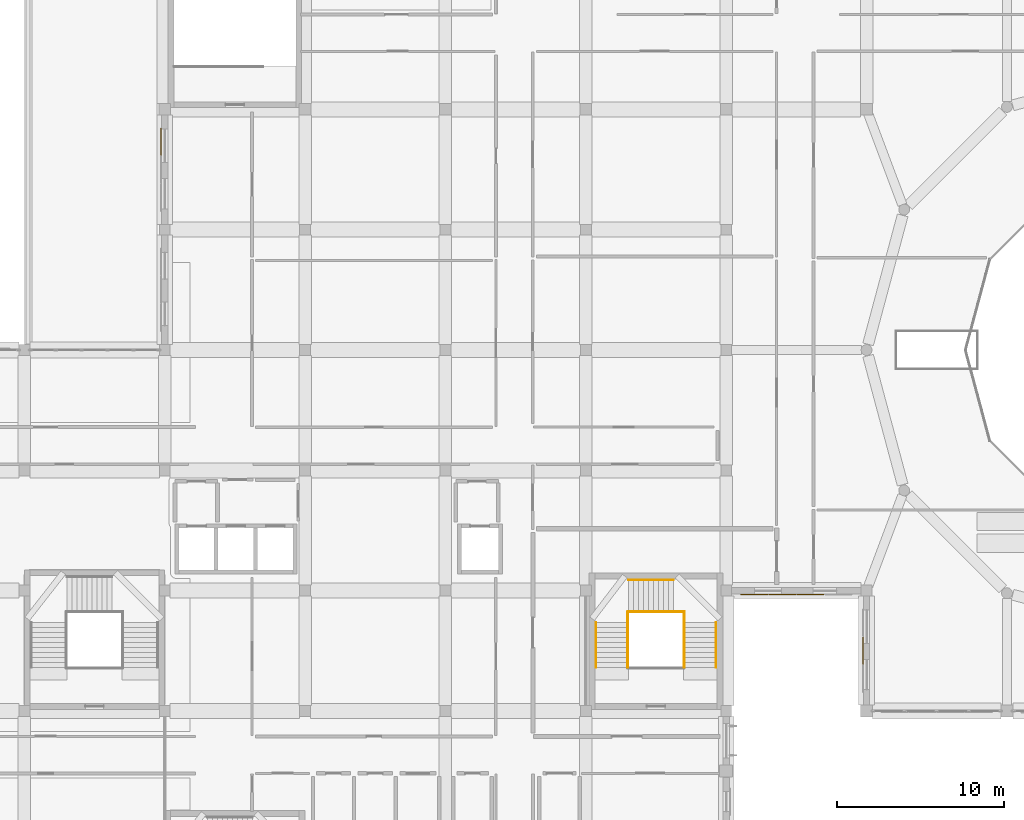
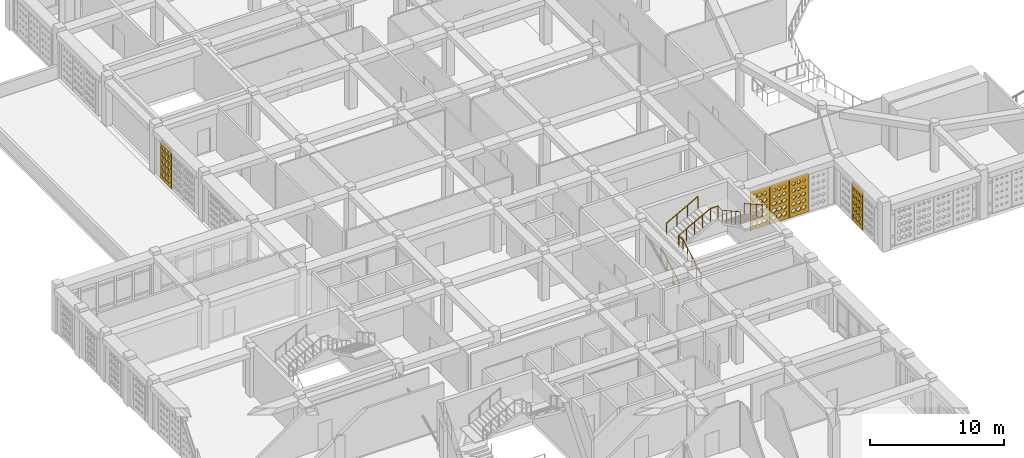
# One storey, part 62 of 79: 6 railings, 5 coverings.
"""IFC4 building model written with IfcOpenShell, lengths in metres."""

from ifc_helpers import new_model, si_unit, derived_unit, direction, frame, origin, origin_2d, place, context, subcontext, project, spatial, polyline, circle, outline, extrude, material, layer, layer_set, type_object, element, save


model = new_model("IFC4")

# Units and contexts
model_context = context("Model", 3, precision=1e-05, world=origin(), true_north=direction((0.0, 1.0)))
body_context = subcontext(model_context, "Body", "Model", "MODEL_VIEW")
ifc_project = project(units=[si_unit("LENGTHUNIT", "METRE"), si_unit("AREAUNIT", "SQUARE_METRE"), si_unit("VOLUMEUNIT", "CUBIC_METRE"), si_unit("PLANEANGLEUNIT", "RADIAN"), si_unit("MASSUNIT", "GRAM", prefix="KILO"), derived_unit("THERMALTRANSMITTANCEUNIT", [(si_unit("POWERUNIT", "WATT"), 1), (si_unit("LENGTHUNIT", "METRE"), -2), (si_unit("THERMODYNAMICTEMPERATUREUNIT", "KELVIN"), -1)])], contexts=[model_context])

# Site, building, storey
site_placement = place(None, origin())
site = spatial("IfcSite", under=ifc_project, at=site_placement, CompositionType="ELEMENT")
building_placement = place(site_placement, origin())
building = spatial("IfcBuilding", under=site, at=building_placement, Name="Veybourne Emporium", CompositionType="ELEMENT")
storey_placement = place(building_placement, frame((0.0, 0.0, 18.89990234375)))
storey = spatial("IfcBuildingStorey", under=building, at=storey_placement, Name="L04", CompositionType="ELEMENT", Elevation=18.89990234375)

# Railings
ifc_material_1 = material(Name="Brushed Stainless Steel", Category="steel")
railing_type_1 = type_object("IfcRailingType", Name="Guard_GR-01", PredefinedType="GUARDRAIL", material=ifc_material_1)
railing_1_placement = place(storey_placement, frame((44.510009765625, 31.39990234375, 0.0)))
element("IfcRailing", 1, at=railing_1_placement, inside=storey, type_object=railing_type_1, Name="L04 ST-05 stair guard 1", PredefinedType="GUARDRAIL", context=body_context, shape_type="SweptSolid", body=[
    extrude(circle(Radius=0.02392578125, at=origin_2d()), frame((0.0, 0.0, 1.1259765625), z_axis=(0.0, 0.874172188743, 0.48561608749), x_axis=(-1.0, 0.0, 0.0)), (0.0, 0.0, 1.0), 3.0888671875),
    extrude(circle(Radius=0.02392578125, at=origin_2d()), frame((0.0, 2.7001953125, 2.6259765625), z_axis=(0.0, 1.0, 0.0), x_axis=(-1.0, 0.0, 0.0)), (0.0, 0.0, 1.0), 0.639892578125),
    extrude(circle(Radius=0.02099609375, at=origin_2d()), origin(), (0.0, 0.0, 1.0), 1.101806640625),
    extrude(circle(Radius=0.02099609375, at=origin_2d()), frame((0.0, 0.675048828125, 0.375)), (0.0, 0.0, 1.0), 1.101806640625),
    extrude(circle(Radius=0.02099609375, at=origin_2d()), frame((0.0, 1.35009765625, 0.75)), (0.0, 0.0, 1.0), 1.101806640625),
    extrude(circle(Radius=0.02099609375, at=origin_2d()), frame((0.0, 2.025146484375, 1.125)), (0.0, 0.0, 1.0), 1.101806640625),
    extrude(circle(Radius=0.02099609375, at=origin_2d()), frame((0.0, 2.7001953125, 1.5)), (0.0, 0.0, 1.0), 1.101806640625),
    extrude(circle(Radius=0.02099609375, at=origin_2d()), frame((0.0, 3.340087890625, 1.5)), (0.0, 0.0, 1.0), 1.101806640625),
])
railing_2_placement = place(storey_placement, frame((44.510009765625, 34.739990234375, 1.5)))
element("IfcRailing", 2, at=railing_2_placement, inside=storey, type_object=railing_type_1, Name="L04 ST-05 stair guard 2", PredefinedType="GUARDRAIL", context=body_context, shape_type="SweptSolid", body=[
    extrude(circle(Radius=0.02392578125, at=origin_2d()), frame((0.0, 0.0, 1.1259765625), z_axis=(0.87715976088, 0.0, 0.480198660861), x_axis=(0.0, 1.0, 0.0)), (0.0, 0.0, 1.0), 3.123779296875),
    extrude(circle(Radius=0.02392578125, at=origin_2d()), frame((2.739990234375, 0.0, 2.6259765625), z_axis=(1.0, 0.0, 0.0), x_axis=(0.0, 1.0, 0.0)), (0.0, 0.0, 1.0), 0.639892578125),
    extrude(circle(Radius=0.02099609375, at=origin_2d()), origin(), (0.0, 0.0, 1.0), 1.101806640625),
    extrude(circle(Radius=0.02099609375, at=origin_2d()), frame((0.68505859375, 0.0, 0.375)), (0.0, 0.0, 1.0), 1.101806640625),
    extrude(circle(Radius=0.02099609375, at=origin_2d()), frame((1.3701171875, 0.0, 0.75)), (0.0, 0.0, 1.0), 1.101806640625),
    extrude(circle(Radius=0.02099609375, at=origin_2d()), frame((2.054931640625, 0.0, 1.125)), (0.0, 0.0, 1.0), 1.101806640625),
    extrude(circle(Radius=0.02099609375, at=origin_2d()), frame((2.739990234375, 0.0, 1.5)), (0.0, 0.0, 1.0), 1.101806640625),
    extrude(circle(Radius=0.02099609375, at=origin_2d()), frame((3.3798828125, 0.0, 1.5)), (0.0, 0.0, 1.0), 1.101806640625),
])
railing_3_placement = place(storey_placement, frame((47.889892578125, 34.739990234375, 3.0)))
element("IfcRailing", 3, at=railing_3_placement, inside=storey, type_object=railing_type_1, Name="L04 ST-05 stair guard 3", PredefinedType="GUARDRAIL", context=body_context, shape_type="SweptSolid", body=[
    extrude(circle(Radius=0.02392578125, at=origin_2d()), frame((0.0, 0.0, 1.1259765625), z_axis=(0.0, -1.0, 0.0), x_axis=(1.0, 0.0, 0.0)), (0.0, 0.0, 1.0), 0.639892578125),
    extrude(circle(Radius=0.02392578125, at=origin_2d()), frame((0.0, -0.639892578125, 1.1259765625), z_axis=(0.0, -0.874172188743, 0.48561608749), x_axis=(1.0, 0.0, 0.0)), (0.0, 0.0, 1.0), 3.0888671875),
    extrude(circle(Radius=0.02099609375, at=origin_2d()), origin(), (0.0, 0.0, 1.0), 1.101806640625),
    extrude(circle(Radius=0.02099609375, at=origin_2d()), frame((0.0, -0.639892578125, 0.0)), (0.0, 0.0, 1.0), 1.101806640625),
    extrude(circle(Radius=0.02099609375, at=origin_2d()), frame((0.0, -1.31494140625, 0.375)), (0.0, 0.0, 1.0), 1.101806640625),
    extrude(circle(Radius=0.02099609375, at=origin_2d()), frame((0.0, -1.989990234375, 0.75)), (0.0, 0.0, 1.0), 1.101806640625),
    extrude(circle(Radius=0.02099609375, at=origin_2d()), frame((0.0, -2.6650390625, 1.125)), (0.0, 0.0, 1.0), 1.101806640625),
    extrude(circle(Radius=0.02099609375, at=origin_2d()), frame((0.0, -3.340087890625, 1.5)), (0.0, 0.0, 1.0), 1.101806640625),
])
railing_type_2 = type_object("IfcRailingType", Name="Handrail_HR-01", PredefinedType="HANDRAIL", material=ifc_material_1)
railing_4_placement = place(storey_placement, frame((42.610107421875, 31.39990234375, 0.150146484375)))
element("IfcRailing", 4, at=railing_4_placement, inside=storey, type_object=railing_type_2, Name="L04 ST-05 pitch handrail 1", PredefinedType="HANDRAIL", context=body_context, shape_type="SweptSolid", body=[
    extrude(circle(Radius=0.02392578125, at=origin_2d()), frame((0.0, 0.0, 0.92578125), z_axis=(0.0, 0.874172188743, 0.48561608749), x_axis=(-1.0, 0.0, 0.0)), (0.0, 0.0, 1.0), 3.0888671875),
    extrude(circle(Radius=0.02099609375, at=origin_2d()), frame((0.0, 0.0, -0.14990234375)), (0.0, 0.0, 1.0), 1.0517578125),
    extrude(circle(Radius=0.02099609375, at=origin_2d()), frame((0.0, 0.900146484375, 0.35009765625)), (0.0, 0.0, 1.0), 1.0517578125),
    extrude(circle(Radius=0.02099609375, at=origin_2d()), frame((0.0, 1.800048828125, 0.85009765625)), (0.0, 0.0, 1.0), 1.0517578125),
    extrude(circle(Radius=0.02099609375, at=origin_2d()), frame((0.0, 2.7001953125, 1.35009765625)), (0.0, 0.0, 1.0), 1.0517578125),
])
railing_5_placement = place(storey_placement, frame((44.550048828125, 36.639892578125, 1.650146484375)))
element("IfcRailing", 5, at=railing_5_placement, inside=storey, type_object=railing_type_2, Name="L04 ST-05 pitch handrail 2", PredefinedType="HANDRAIL", context=body_context, shape_type="SweptSolid", body=[
    extrude(circle(Radius=0.02392578125, at=origin_2d()), frame((0.0, 0.0, 0.92578125), z_axis=(0.87415354758, 0.0, 0.485649642493), x_axis=(0.0, 1.0, 0.0)), (0.0, 0.0, 1.0), 3.088623046875),
    extrude(circle(Radius=0.02099609375, at=origin_2d()), frame((0.0, 0.0, -0.14990234375)), (0.0, 0.0, 1.0), 1.0517578125),
    extrude(circle(Radius=0.02099609375, at=origin_2d()), frame((0.89990234375, 0.0, 0.35009765625)), (0.0, 0.0, 1.0), 1.0517578125),
    extrude(circle(Radius=0.02099609375, at=origin_2d()), frame((1.800048828125, 0.0, 0.85009765625)), (0.0, 0.0, 1.0), 1.0517578125),
    extrude(circle(Radius=0.02099609375, at=origin_2d()), frame((2.699951171875, 0.0, 1.35009765625)), (0.0, 0.0, 1.0), 1.0517578125),
])
railing_6_placement = place(storey_placement, frame((49.7900390625, 34.10009765625, 3.150146484375)))
element("IfcRailing", 6, at=railing_6_placement, inside=storey, type_object=railing_type_2, Name="L04 ST-05 pitch handrail 3", PredefinedType="HANDRAIL", context=body_context, shape_type="SweptSolid", body=[
    extrude(circle(Radius=0.02392578125, at=origin_2d()), frame((0.0, 0.0, 0.92578125), z_axis=(0.0, -0.874172188743, 0.48561608749), x_axis=(1.0, 0.0, 0.0)), (0.0, 0.0, 1.0), 3.0888671875),
    extrude(circle(Radius=0.02099609375, at=origin_2d()), frame((0.0, 0.0, -0.14990234375)), (0.0, 0.0, 1.0), 1.0517578125),
    extrude(circle(Radius=0.02099609375, at=origin_2d()), frame((0.0, -0.900146484375, 0.35009765625)), (0.0, 0.0, 1.0), 1.0517578125),
    extrude(circle(Radius=0.02099609375, at=origin_2d()), frame((0.0, -1.800048828125, 0.85009765625)), (0.0, 0.0, 1.0), 1.0517578125),
    extrude(circle(Radius=0.02099609375, at=origin_2d()), frame((0.0, -2.7001953125, 1.35009765625)), (0.0, 0.0, 1.0), 1.0517578125),
])

# Coverings
ifc_material_2 = material(Name="Warm-White Perforated Aluminium Screen Alloy", Category="aluminium")
ifc_layer_1 = layer(ifc_material_2, 0.06005859375)
ifc_layer_set_1 = layer_set([ifc_layer_1], Name="Warm-White Perforated Aluminium Screen Alloy")
covering_type_1 = type_object("IfcCoveringType", Name="WaveScreen_SCR-01", PredefinedType="CLADDING", material=ifc_layer_set_1)
covering_1_placement = place(storey_placement, frame((58.552001953125, 32.41259765625, 1.815185546875), z_axis=(1.0, 0.0, 0.0), x_axis=(0.0, 1.0, 0.0)))
element("IfcCovering", 7, at=covering_1_placement, inside=storey, type_object=covering_type_1, Name="L04 wave-perforated aluminium screen SCR-01 (34.2)", PredefinedType="CLADDING", context=body_context, shape_type="SweptSolid", body=[
    extrude(outline(polyline([(-0.81982421875, -1.7548828125), (0.81982421875, -1.7548828125), (0.81982421875, 1.7548828125), (-0.81982421875, 1.7548828125), (-0.81982421875, -1.7548828125)]), holes=[polyline([(-0.433349609375, -1.016357421875), (-0.250244140625, -1.15185546875), (-0.250244140625, -1.30419921875), (-0.433349609375, -1.439697265625), (-0.616455078125, -1.30419921875), (-0.616455078125, -1.15185546875), (-0.433349609375, -1.016357421875)]), polyline([(-0.433349609375, -0.41650390625), (-0.26171875, -0.54296875), (-0.26171875, -0.68505859375), (-0.433349609375, -0.8115234375), (-0.60498046875, -0.68505859375), (-0.60498046875, -0.54296875), (-0.433349609375, -0.41650390625)]), polyline([(-0.433349609375, 0.183349609375), (-0.273193359375, 0.06591796875), (-0.273193359375, -0.06591796875), (-0.433349609375, -0.183349609375), (-0.593505859375, -0.06591796875), (-0.593505859375, 0.06591796875), (-0.433349609375, 0.183349609375)]), polyline([(-0.433349609375, 0.783447265625), (-0.28466796875, 0.675048828125), (-0.28466796875, 0.552978515625), (-0.433349609375, 0.444580078125), (-0.58203125, 0.552978515625), (-0.58203125, 0.675048828125), (-0.433349609375, 0.783447265625)]), polyline([(-0.433349609375, 1.38427734375), (-0.29541015625, 1.2841796875), (-0.29541015625, 1.171630859375), (-0.433349609375, 1.07177734375), (-0.5712890625, 1.171630859375), (-0.5712890625, 1.2841796875), (-0.433349609375, 1.38427734375)]), polyline([(0.0, -1.022705078125), (0.177978515625, -1.154052734375), (0.177978515625, -1.302001953125), (0.0, -1.433349609375), (-0.177978515625, -1.302001953125), (-0.177978515625, -1.154052734375), (0.0, -1.022705078125)]), polyline([(0.0, -0.4228515625), (0.16650390625, -0.545166015625), (0.16650390625, -0.682861328125), (0.0, -0.80517578125), (-0.16650390625, -0.682861328125), (-0.16650390625, -0.545166015625), (0.0, -0.4228515625)]), polyline([(0.0, 0.177001953125), (0.15478515625, 0.063720703125), (0.15478515625, -0.063720703125), (0.0, -0.177001953125), (-0.15478515625, -0.063720703125), (-0.15478515625, 0.063720703125), (0.0, 0.177001953125)]), polyline([(0.0, 0.77734375), (0.143798828125, 0.6728515625), (0.143798828125, 0.55517578125), (0.0, 0.45068359375), (-0.143798828125, 0.55517578125), (-0.143798828125, 0.6728515625), (0.0, 0.77734375)]), polyline([(0.0, 1.378662109375), (0.13330078125, 1.2822265625), (0.13330078125, 1.173828125), (0.0, 1.077392578125), (-0.13330078125, 1.173828125), (-0.13330078125, 1.2822265625), (0.0, 1.378662109375)]), polyline([(0.433349609375, -1.029052734375), (0.606201171875, -1.156494140625), (0.606201171875, -1.299560546875), (0.433349609375, -1.427001953125), (0.260498046875, -1.299560546875), (0.260498046875, -1.156494140625), (0.433349609375, -1.029052734375)]), polyline([(0.433349609375, -0.42919921875), (0.594482421875, -0.547607421875), (0.594482421875, -0.680419921875), (0.433349609375, -0.798583984375), (0.272216796875, -0.680419921875), (0.272216796875, -0.547607421875), (0.433349609375, -0.42919921875)]), polyline([(0.433349609375, 0.1708984375), (0.5830078125, 0.0615234375), (0.5830078125, -0.0615234375), (0.433349609375, -0.1708984375), (0.28369140625, -0.0615234375), (0.28369140625, 0.0615234375), (0.433349609375, 0.1708984375)]), polyline([(0.433349609375, 0.771484375), (0.572265625, 0.670654296875), (0.572265625, 0.557373046875), (0.433349609375, 0.45654296875), (0.29443359375, 0.557373046875), (0.29443359375, 0.670654296875), (0.433349609375, 0.771484375)]), polyline([(0.433349609375, 1.373291015625), (0.562255859375, 1.2802734375), (0.562255859375, 1.17578125), (0.433349609375, 1.082763671875), (0.304443359375, 1.17578125), (0.304443359375, 1.2802734375), (0.433349609375, 1.373291015625)])]), origin(), (0.0, 0.0, 1.0), 0.06005859375),
])
ifc_layer_2 = layer(ifc_material_2, 0.06005859375)
ifc_layer_set_2 = layer_set([ifc_layer_2], Name="Warm-White Perforated Aluminium Screen Alloy")
covering_type_2 = type_object("IfcCoveringType", Name="WaveScreen_SCR-02", PredefinedType="CLADDING", material=ifc_layer_set_2)
covering_2_placement = place(storey_placement, frame((16.552001953125, 62.867431640625, 1.815185546875), z_axis=(1.0, 0.0, 0.0), x_axis=(0.0, 1.0, 0.0)))
element("IfcCovering", 8, at=covering_2_placement, inside=storey, type_object=covering_type_2, Name="L04 wave-perforated aluminium screen SCR-02 (14.3)", PredefinedType="CLADDING", context=body_context, shape_type="SweptSolid", body=[
    extrude(outline(polyline([(-0.81982421875, -1.7548828125), (0.81982421875, -1.7548828125), (0.81982421875, 1.7548828125), (-0.81982421875, 1.7548828125), (-0.81982421875, -1.7548828125)]), holes=[polyline([(-0.433349609375, -0.974609375), (-0.2470703125, -1.13671875), (-0.2470703125, -1.319091796875), (-0.433349609375, -1.4814453125), (-0.61962890625, -1.319091796875), (-0.61962890625, -1.13671875), (-0.433349609375, -0.974609375)]), polyline([(-0.433349609375, -0.35205078125), (-0.2470703125, -0.519775390625), (-0.2470703125, -0.708251953125), (-0.433349609375, -0.8759765625), (-0.61962890625, -0.708251953125), (-0.61962890625, -0.519775390625), (-0.433349609375, -0.35205078125)]), polyline([(-0.433349609375, 0.263916015625), (-0.2470703125, 0.094970703125), (-0.2470703125, -0.094970703125), (-0.433349609375, -0.263916015625), (-0.61962890625, -0.094970703125), (-0.61962890625, 0.094970703125), (-0.433349609375, 0.263916015625)]), polyline([(-0.433349609375, 0.8779296875), (-0.2470703125, 0.708984375), (-0.2470703125, 0.51904296875), (-0.433349609375, 0.35009765625), (-0.61962890625, 0.51904296875), (-0.61962890625, 0.708984375), (-0.433349609375, 0.8779296875)]), polyline([(-0.433349609375, 1.491943359375), (-0.2470703125, 1.322998046875), (-0.2470703125, 1.133056640625), (-0.433349609375, 0.964111328125), (-0.61962890625, 1.133056640625), (-0.61962890625, 1.322998046875), (-0.433349609375, 1.491943359375)]), polyline([(0.0, -0.970458984375), (0.186279296875, -1.13525390625), (0.186279296875, -1.32080078125), (0.0, -1.485595703125), (-0.186279296875, -1.32080078125), (-0.186279296875, -1.13525390625), (0.0, -0.970458984375)]), polyline([(0.0, -0.35009765625), (0.186279296875, -0.51904296875), (0.186279296875, -0.708984375), (0.0, -0.8779296875), (-0.186279296875, -0.708984375), (-0.186279296875, -0.51904296875), (0.0, -0.35009765625)]), polyline([(0.0, 0.263916015625), (0.186279296875, 0.094970703125), (0.186279296875, -0.094970703125), (0.0, -0.263916015625), (-0.186279296875, -0.094970703125), (-0.186279296875, 0.094970703125), (0.0, 0.263916015625)]), polyline([(0.0, 0.8779296875), (0.186279296875, 0.708984375), (0.186279296875, 0.51904296875), (0.0, 0.35009765625), (-0.186279296875, 0.51904296875), (-0.186279296875, 0.708984375), (0.0, 0.8779296875)]), polyline([(0.0, 1.491943359375), (0.186279296875, 1.322998046875), (0.186279296875, 1.133056640625), (0.0, 0.964111328125), (-0.186279296875, 1.133056640625), (-0.186279296875, 1.322998046875), (0.0, 1.491943359375)]), polyline([(0.433349609375, -0.966796875), (0.61962890625, -1.1337890625), (0.61962890625, -1.322021484375), (0.433349609375, -1.4892578125), (0.2470703125, -1.322021484375), (0.2470703125, -1.1337890625), (0.433349609375, -0.966796875)]), polyline([(0.433349609375, -0.35009765625), (0.61962890625, -0.51904296875), (0.61962890625, -0.708984375), (0.433349609375, -0.8779296875), (0.2470703125, -0.708984375), (0.2470703125, -0.51904296875), (0.433349609375, -0.35009765625)]), polyline([(0.433349609375, 0.263916015625), (0.61962890625, 0.094970703125), (0.61962890625, -0.094970703125), (0.433349609375, -0.263916015625), (0.2470703125, -0.094970703125), (0.2470703125, 0.094970703125), (0.433349609375, 0.263916015625)]), polyline([(0.433349609375, 0.8779296875), (0.61962890625, 0.708984375), (0.61962890625, 0.51904296875), (0.433349609375, 0.35009765625), (0.2470703125, 0.51904296875), (0.2470703125, 0.708984375), (0.433349609375, 0.8779296875)]), polyline([(0.433349609375, 1.491943359375), (0.61962890625, 1.322998046875), (0.61962890625, 1.133056640625), (0.433349609375, 0.964111328125), (0.2470703125, 1.133056640625), (0.2470703125, 1.322998046875), (0.433349609375, 1.491943359375)])]), origin(), (0.0, 0.0, 1.0), 0.06005859375),
])
covering_3_placement = place(storey_placement, frame((55.43994140625, 35.751953125, 1.815185546875), z_axis=(0.0, 1.0, 0.0), x_axis=(-1.0, 0.0, 0.0)))
element("IfcCovering", 9, at=covering_3_placement, inside=storey, type_object=covering_type_2, Name="L04 wave-perforated aluminium screen SCR-02 (31.2)", PredefinedType="CLADDING", context=body_context, shape_type="SweptSolid", body=[
    extrude(outline(polyline([(-0.81982421875, -1.7548828125), (0.81982421875, -1.7548828125), (0.81982421875, 1.7548828125), (-0.81982421875, 1.7548828125), (-0.81982421875, -1.7548828125)]), holes=[polyline([(-0.433349609375, -1.032470703125), (-0.26318359375, -1.15771484375), (-0.26318359375, -1.29833984375), (-0.433349609375, -1.423583984375), (-0.603271484375, -1.29833984375), (-0.603271484375, -1.15771484375), (-0.433349609375, -1.032470703125)]), polyline([(-0.433349609375, -0.4326171875), (-0.27490234375, -0.548583984375), (-0.27490234375, -0.67919921875), (-0.433349609375, -0.79541015625), (-0.591796875, -0.67919921875), (-0.591796875, -0.548583984375), (-0.433349609375, -0.4326171875)]), polyline([(-0.433349609375, 0.16748046875), (-0.2861328125, 0.060302734375), (-0.2861328125, -0.060302734375), (-0.433349609375, -0.16748046875), (-0.580322265625, -0.060302734375), (-0.580322265625, 0.060302734375), (-0.433349609375, 0.16748046875)]), polyline([(-0.433349609375, 0.7685546875), (-0.296875, 0.669677734375), (-0.296875, 0.558349609375), (-0.433349609375, 0.45947265625), (-0.569580078125, 0.558349609375), (-0.569580078125, 0.669677734375), (-0.433349609375, 0.7685546875)]), polyline([(-0.433349609375, 1.37060546875), (-0.306640625, 1.279296875), (-0.306640625, 1.1767578125), (-0.433349609375, 1.08544921875), (-0.559814453125, 1.1767578125), (-0.559814453125, 1.279296875), (-0.433349609375, 1.37060546875)]), polyline([(0.0, -1.02587890625), (0.17529296875, -1.1552734375), (0.17529296875, -1.30078125), (0.0, -1.429931640625), (-0.17529296875, -1.30078125), (-0.17529296875, -1.1552734375), (0.0, -1.02587890625)]), polyline([(0.0, -0.42626953125), (0.16357421875, -0.54638671875), (0.16357421875, -0.681640625), (0.0, -0.8017578125), (-0.16357421875, -0.681640625), (-0.16357421875, -0.54638671875), (0.0, -0.42626953125)]), polyline([(0.0, 0.173828125), (0.152099609375, 0.0625), (0.152099609375, -0.0625), (0.0, -0.173828125), (-0.152099609375, -0.0625), (-0.152099609375, 0.0625), (0.0, 0.173828125)]), polyline([(0.0, 0.7744140625), (0.14111328125, 0.671630859375), (0.14111328125, 0.556396484375), (0.0, 0.45361328125), (-0.14111328125, 0.556396484375), (-0.14111328125, 0.671630859375), (0.0, 0.7744140625)]), polyline([(0.0, 1.375732421875), (0.130859375, 1.28125), (0.130859375, 1.1748046875), (0.0, 1.080078125), (-0.130859375, 1.1748046875), (-0.130859375, 1.28125), (0.0, 1.375732421875)]), polyline([(0.433349609375, -1.019775390625), (0.61376953125, -1.153076171875), (0.61376953125, -1.302978515625), (0.433349609375, -1.436279296875), (0.2529296875, -1.302978515625), (0.2529296875, -1.153076171875), (0.433349609375, -1.019775390625)]), polyline([(0.433349609375, -0.419921875), (0.602294921875, -0.544189453125), (0.602294921875, -0.683837890625), (0.433349609375, -0.80810546875), (0.264404296875, -0.683837890625), (0.264404296875, -0.544189453125), (0.433349609375, -0.419921875)]), polyline([(0.433349609375, 0.18017578125), (0.5908203125, 0.064697265625), (0.5908203125, -0.064697265625), (0.433349609375, -0.18017578125), (0.27587890625, -0.064697265625), (0.27587890625, 0.064697265625), (0.433349609375, 0.18017578125)]), polyline([(0.433349609375, 0.7802734375), (0.579345703125, 0.673828125), (0.579345703125, 0.55419921875), (0.433349609375, 0.44775390625), (0.287353515625, 0.55419921875), (0.287353515625, 0.673828125), (0.433349609375, 0.7802734375)]), polyline([(0.433349609375, 1.38134765625), (0.56884765625, 1.283203125), (0.56884765625, 1.1728515625), (0.433349609375, 1.07470703125), (0.2978515625, 1.1728515625), (0.2978515625, 1.283203125), (0.433349609375, 1.38134765625)])]), origin(), (0.0, 0.0, 1.0), 0.06005859375),
])
ifc_layer_3 = layer(ifc_material_2, 0.06005859375)
ifc_layer_set_3 = layer_set([ifc_layer_3], Name="Warm-White Perforated Aluminium Screen Alloy")
covering_type_3 = type_object("IfcCoveringType", Name="WaveScreen_SCR-03", PredefinedType="CLADDING", material=ifc_layer_set_3)
covering_4_placement = place(storey_placement, frame((53.760009765625, 35.751953125, 1.815185546875), z_axis=(0.0, 1.0, 0.0), x_axis=(-1.0, 0.0, 0.0)))
element("IfcCovering", 10, at=covering_4_placement, inside=storey, type_object=covering_type_3, Name="L04 wave-perforated aluminium screen SCR-03 (31.3)", PredefinedType="CLADDING", context=body_context, shape_type="SweptSolid", body=[
    extrude(outline(polyline([(-0.81982421875, -1.7548828125), (0.81982421875, -1.7548828125), (0.81982421875, 1.7548828125), (-0.81982421875, 1.7548828125), (-0.81982421875, -1.7548828125)]), holes=[polyline([(-0.433349609375, -1.008056640625), (-0.2470703125, -1.148681640625), (-0.2470703125, -1.30712890625), (-0.433349609375, -1.447998046875), (-0.61962890625, -1.30712890625), (-0.61962890625, -1.148681640625), (-0.433349609375, -1.008056640625)]), polyline([(-0.433349609375, -0.40771484375), (-0.254638671875, -0.539794921875), (-0.254638671875, -0.688232421875), (-0.433349609375, -0.8203125), (-0.612060546875, -0.688232421875), (-0.612060546875, -0.539794921875), (-0.433349609375, -0.40771484375)]), polyline([(-0.433349609375, 0.192138671875), (-0.26611328125, 0.069091796875), (-0.26611328125, -0.069091796875), (-0.433349609375, -0.192138671875), (-0.6005859375, -0.069091796875), (-0.6005859375, 0.069091796875), (-0.433349609375, 0.192138671875)]), polyline([(-0.433349609375, 0.7919921875), (-0.277587890625, 0.677978515625), (-0.277587890625, 0.5498046875), (-0.433349609375, 0.43603515625), (-0.589111328125, 0.5498046875), (-0.589111328125, 0.677978515625), (-0.433349609375, 0.7919921875)]), polyline([(-0.433349609375, 1.392333984375), (-0.288818359375, 1.287109375), (-0.288818359375, 1.168701171875), (-0.433349609375, 1.063720703125), (-0.577880859375, 1.168701171875), (-0.577880859375, 1.287109375), (-0.433349609375, 1.392333984375)]), polyline([(0.0, -1.002197265625), (0.186279296875, -1.146728515625), (0.186279296875, -1.309326171875), (0.0, -1.453857421875), (-0.186279296875, -1.309326171875), (-0.186279296875, -1.146728515625), (0.0, -1.002197265625)]), polyline([(0.0, -0.401611328125), (0.183837890625, -0.53759765625), (0.183837890625, -0.6904296875), (0.0, -0.826416015625), (-0.183837890625, -0.6904296875), (-0.183837890625, -0.53759765625), (0.0, -0.401611328125)]), polyline([(0.0, 0.198486328125), (0.17236328125, 0.071533203125), (0.17236328125, -0.071533203125), (0.0, -0.198486328125), (-0.17236328125, -0.071533203125), (-0.17236328125, 0.071533203125), (0.0, 0.198486328125)]), polyline([(0.0, 0.79833984375), (0.160888671875, 0.680419921875), (0.160888671875, 0.547607421875), (0.0, 0.4296875), (-0.160888671875, 0.547607421875), (-0.160888671875, 0.680419921875), (0.0, 0.79833984375)]), polyline([(0.0, 1.3984375), (0.1494140625, 1.289306640625), (0.1494140625, 1.16650390625), (0.0, 1.0576171875), (-0.1494140625, 1.16650390625), (-0.1494140625, 1.289306640625), (0.0, 1.3984375)]), polyline([(0.433349609375, -0.996337890625), (0.61962890625, -1.14453125), (0.61962890625, -1.311279296875), (0.433349609375, -1.459716796875), (0.2470703125, -1.311279296875), (0.2470703125, -1.14453125), (0.433349609375, -0.996337890625)]), polyline([(0.433349609375, -0.395263671875), (0.61962890625, -0.535400390625), (0.61962890625, -0.692626953125), (0.433349609375, -0.832763671875), (0.2470703125, -0.692626953125), (0.2470703125, -0.535400390625), (0.433349609375, -0.395263671875)]), polyline([(0.433349609375, 0.204833984375), (0.611083984375, 0.07373046875), (0.611083984375, -0.07373046875), (0.433349609375, -0.204833984375), (0.255615234375, -0.07373046875), (0.255615234375, 0.07373046875), (0.433349609375, 0.204833984375)]), polyline([(0.433349609375, 0.8046875), (0.599365234375, 0.6826171875), (0.599365234375, 0.54541015625), (0.433349609375, 0.423095703125), (0.26708984375, 0.54541015625), (0.26708984375, 0.6826171875), (0.433349609375, 0.8046875)]), polyline([(0.433349609375, 1.40478515625), (0.587890625, 1.29150390625), (0.587890625, 1.164306640625), (0.433349609375, 1.05126953125), (0.27880859375, 1.164306640625), (0.27880859375, 1.29150390625), (0.433349609375, 1.40478515625)])]), origin(), (0.0, 0.0, 1.0), 0.06005859375),
])
ifc_layer_4 = layer(ifc_material_2, 0.06005859375)
ifc_layer_set_4 = layer_set([ifc_layer_4], Name="Warm-White Perforated Aluminium Screen Alloy")
covering_type_4 = type_object("IfcCoveringType", Name="WaveScreen_SCR-04", PredefinedType="CLADDING", material=ifc_layer_set_4)
covering_5_placement = place(storey_placement, frame((52.080078125, 35.751953125, 1.815185546875), z_axis=(0.0, 1.0, 0.0), x_axis=(-1.0, 0.0, 0.0)))
element("IfcCovering", 11, at=covering_5_placement, inside=storey, type_object=covering_type_4, Name="L04 wave-perforated aluminium screen SCR-04 (31.4)", PredefinedType="CLADDING", context=body_context, shape_type="SweptSolid", body=[
    extrude(outline(polyline([(-0.81982421875, -1.7548828125), (0.81982421875, -1.7548828125), (0.81982421875, 1.7548828125), (-0.81982421875, 1.7548828125), (-0.81982421875, -1.7548828125)]), holes=[polyline([(-0.433349609375, -0.986083984375), (-0.2470703125, -1.140869140625), (-0.2470703125, -1.315185546875), (-0.433349609375, -1.469970703125), (-0.61962890625, -1.315185546875), (-0.61962890625, -1.140869140625), (-0.433349609375, -0.986083984375)]), polyline([(-0.433349609375, -0.38427734375), (-0.2470703125, -0.53125), (-0.2470703125, -0.69677734375), (-0.433349609375, -0.84375), (-0.61962890625, -0.69677734375), (-0.61962890625, -0.53125), (-0.433349609375, -0.38427734375)]), polyline([(-0.433349609375, 0.216796875), (-0.2470703125, 0.077880859375), (-0.2470703125, -0.077880859375), (-0.433349609375, -0.216796875), (-0.61962890625, -0.077880859375), (-0.61962890625, 0.077880859375), (-0.433349609375, 0.216796875)]), polyline([(-0.433349609375, 0.81689453125), (-0.25732421875, 0.68701171875), (-0.25732421875, 0.541015625), (-0.433349609375, 0.4111328125), (-0.609375, 0.541015625), (-0.609375, 0.68701171875), (-0.433349609375, 0.81689453125)]), polyline([(-0.433349609375, 1.416748046875), (-0.268798828125, 1.2958984375), (-0.268798828125, 1.16015625), (-0.433349609375, 1.039306640625), (-0.59765625, 1.16015625), (-0.59765625, 1.2958984375), (-0.433349609375, 1.416748046875)]), polyline([(0.0, -0.981201171875), (0.186279296875, -1.13916015625), (0.186279296875, -1.31689453125), (0.0, -1.474853515625), (-0.186279296875, -1.31689453125), (-0.186279296875, -1.13916015625), (0.0, -0.981201171875)]), polyline([(0.0, -0.37841796875), (0.186279296875, -0.529296875), (0.186279296875, -0.69873046875), (0.0, -0.849609375), (-0.186279296875, -0.69873046875), (-0.186279296875, -0.529296875), (0.0, -0.37841796875)]), polyline([(0.0, 0.222900390625), (0.186279296875, 0.080078125), (0.186279296875, -0.080078125), (0.0, -0.222900390625), (-0.186279296875, -0.080078125), (-0.186279296875, 0.080078125), (0.0, 0.222900390625)]), polyline([(0.0, 0.8232421875), (0.18115234375, 0.689208984375), (0.18115234375, 0.538818359375), (0.0, 0.40478515625), (-0.18115234375, 0.538818359375), (-0.18115234375, 0.689208984375), (0.0, 0.8232421875)]), polyline([(0.0, 1.423095703125), (0.169677734375, 1.298095703125), (0.169677734375, 1.15771484375), (0.0, 1.032958984375), (-0.169677734375, 1.15771484375), (-0.169677734375, 1.298095703125), (0.0, 1.423095703125)]), polyline([(0.433349609375, -0.9765625), (0.61962890625, -1.137451171875), (0.61962890625, -1.318603515625), (0.433349609375, -1.4794921875), (0.2470703125, -1.318603515625), (0.2470703125, -1.137451171875), (0.433349609375, -0.9765625)]), polyline([(0.433349609375, -0.373291015625), (0.61962890625, -0.52734375), (0.61962890625, -0.70068359375), (0.433349609375, -0.854736328125), (0.2470703125, -0.70068359375), (0.2470703125, -0.52734375), (0.433349609375, -0.373291015625)]), polyline([(0.433349609375, 0.228759765625), (0.61962890625, 0.082275390625), (0.61962890625, -0.082275390625), (0.433349609375, -0.228759765625), (0.2470703125, -0.082275390625), (0.2470703125, 0.082275390625), (0.433349609375, 0.228759765625)]), polyline([(0.433349609375, 0.829345703125), (0.61962890625, 0.691650390625), (0.61962890625, 0.536376953125), (0.433349609375, 0.398681640625), (0.2470703125, 0.536376953125), (0.2470703125, 0.691650390625), (0.433349609375, 0.829345703125)]), polyline([(0.433349609375, 1.4296875), (0.608154296875, 1.300537109375), (0.608154296875, 1.155517578125), (0.433349609375, 1.0263671875), (0.25830078125, 1.155517578125), (0.25830078125, 1.300537109375), (0.433349609375, 1.4296875)])]), origin(), (0.0, 0.0, 1.0), 0.06005859375),
])

save(model, "model.ifc")
